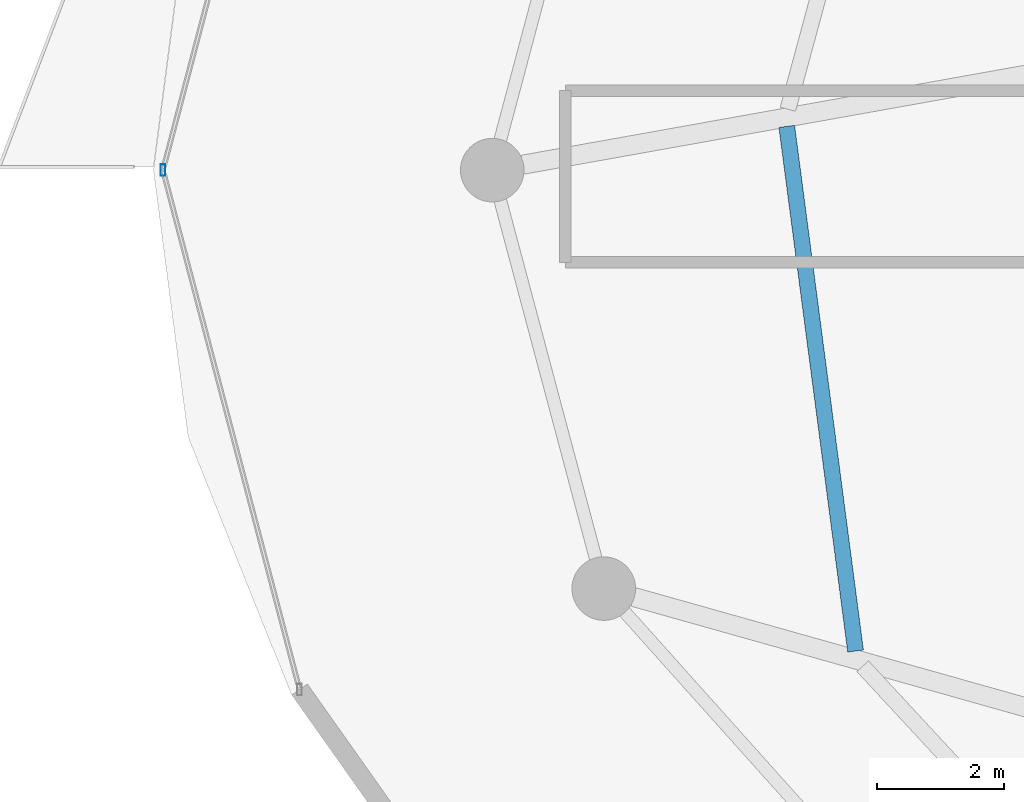
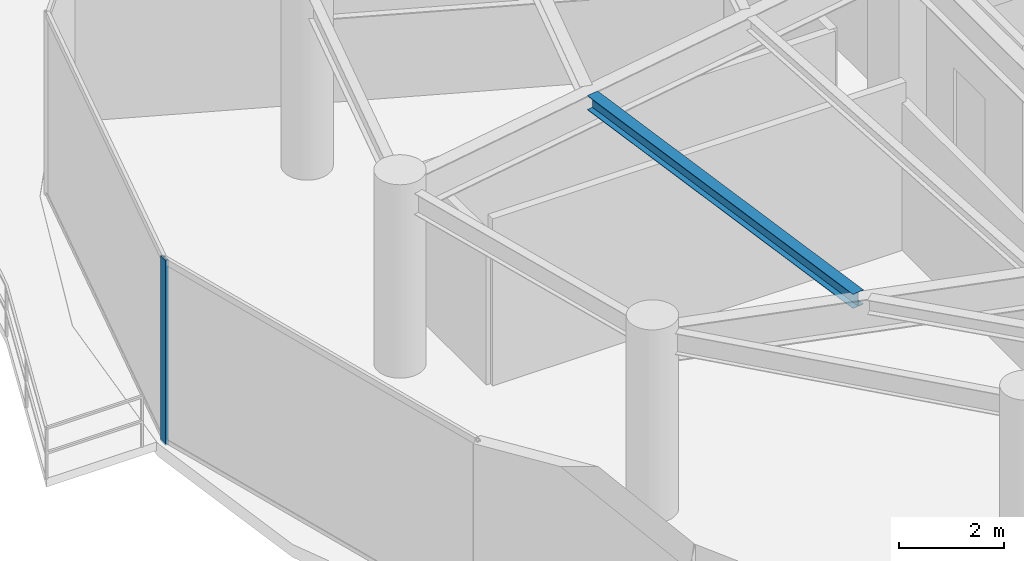
# One storey, part 7 of 31: 1 beam, 1 member, 1 element without a shape of its own.
"""IFC4 building model written with IfcOpenShell, lengths in metres."""

from ifc_helpers import new_model, si_unit, direction, frame, origin, origin_2d, place, context, subcontext, project, spatial, hollow_rectangle, i_section, extrude, material, material_profile, profile_set, type_object, element, aggregate, save


model = new_model("IFC4")

# Units and contexts
model_context = context("Model", 3, precision=1e-05, world=origin(), true_north=direction((0.0, 1.0)))
body_context = subcontext(model_context, "Body", "Model", "MODEL_VIEW")
ifc_project = project(units=[si_unit("LENGTHUNIT", "METRE"), si_unit("AREAUNIT", "SQUARE_METRE"), si_unit("VOLUMEUNIT", "CUBIC_METRE"), si_unit("PLANEANGLEUNIT", "RADIAN"), si_unit("MASSUNIT", "GRAM", prefix="KILO")], contexts=[model_context])

# Site, building, storey
site_placement = place(None, origin())
site = spatial("IfcSite", under=ifc_project, at=site_placement, CompositionType="ELEMENT")
building_placement = place(site_placement, origin())
building = spatial("IfcBuilding", under=site, at=building_placement, Name="Vorneva Point Tower", CompositionType="ELEMENT")
storey_placement = place(building_placement, frame((0.0, 0.0, 174.60009765625)))
storey = spatial("IfcBuildingStorey", under=building, at=storey_placement, Name="L47", CompositionType="ELEMENT", Elevation=174.60009765625)

# Beam
ifc_material_1 = material(Name="Steel S355", Category="steel")
ifc_material_profile_1 = material_profile(ifc_material_1, i_section(OverallWidth=0.2490234375, OverallDepth=0.333984375, WebThickness=0.008056640625, FlangeThickness=0.010986328125, at=origin_2d()), Name="35Sh1")
ifc_profile_set_1 = profile_set([ifc_material_profile_1], Name="Steel S355")
beam_type = type_object("IfcBeamType", Name="BM-SEC-35Sh1", PredefinedType="BEAM", material=ifc_profile_set_1)
beam_placement = place(storey_placement, frame((19.5830078125, 26.688720703125, 4.072998046875), z_axis=(0.130067594858, -0.991505128967, 0.0), x_axis=(0.991505128967, 0.130067594858, 0.0)))
element("IfcBeam", 1, at=beam_placement, inside=storey, type_object=beam_type, Name="L47 Secondary Floor Beam 1.09", PredefinedType="BEAM", context=body_context, shape_type="SweptSolid", body=[
    extrude(i_section(OverallWidth=0.2490234375, OverallDepth=0.333984375, WebThickness=0.008056640625, FlangeThickness=0.010986328125, at=origin_2d()), origin(), (0.0, 0.0, 1.0), 8.32470703125),
])

# Curtain wall, member
ifc_material_2 = material(Name="Pale anodised aluminium", Category="aluminium")
curtain_wall_type = type_object("IfcCurtainWallType", Name="CW-SKY-SYS", PredefinedType="NOTDEFINED", material=ifc_material_2)
curtain_wall_placement = place(storey_placement, origin())
curtain_wall = element("IfcCurtainWall", 2, at=curtain_wall_placement, inside=storey, type_object=curtain_wall_type, Name="L47 Unitised Curtain Wall CW-L47-R03", PredefinedType="NOTDEFINED")
ifc_material_profile_2 = material_profile(ifc_material_2, hollow_rectangle(XDim=0.074951171875, YDim=0.179931640625, WallThickness=0.00390625, at=origin_2d()), Name="AL-MUL 180x75x4")
ifc_profile_set_2 = profile_set([ifc_material_profile_2], Name="Pale anodised aluminium")
member_type = type_object("IfcMemberType", Name="CW-MUL-180", PredefinedType="MULLION", material=ifc_profile_set_2)
member_placement = place(storey_placement, frame((9.77001953125, 26.0, -0.0400390625), z_axis=(0.0, 0.0, 1.0), x_axis=(1.0, 0.0, 0.0)))
member = element("IfcMember", 3, at=member_placement, type_object=member_type, Name="CW-L47-R03 Mullion 04", PredefinedType="MULLION", context=body_context, shape_type="SweptSolid", body=[
    extrude(hollow_rectangle(XDim=0.074951171875, YDim=0.179931640625, WallThickness=0.00390625, at=origin_2d()), origin(), (0.0, 0.0, 1.0), 4.31005859375),
])
aggregate(curtain_wall, [member])

save(model, "model.ifc")
